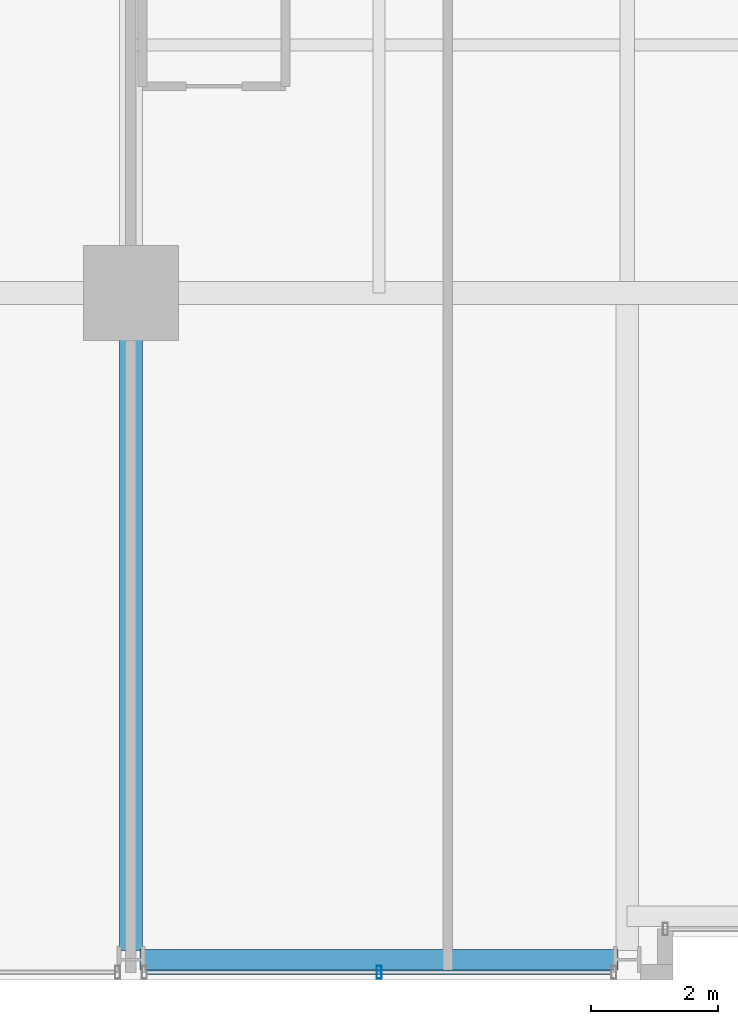
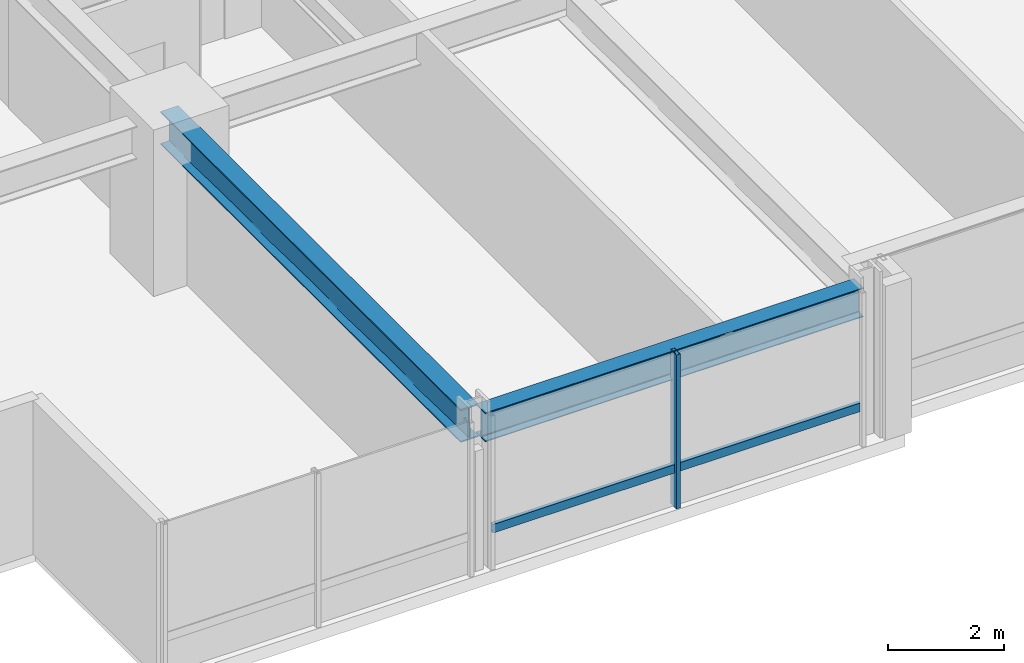
# One storey, part 3 of 33: 2 beams, 2 members, 1 element without a shape of its own.
"""IFC4 building model written with IfcOpenShell, lengths in metres."""

from ifc_helpers import new_model, si_unit, direction, frame, origin, origin_2d, place, context, subcontext, project, spatial, hollow_rectangle, i_section, extrude, material, layer, layer_set, material_profile, profile_set, type_object, element, aggregate, save


model = new_model("IFC4")

# Units and contexts
model_context = context("Model", 3, precision=1e-05, world=origin(), true_north=direction((0.0, 1.0)))
body_context = subcontext(model_context, "Body", "Model", "MODEL_VIEW")
ifc_project = project(units=[si_unit("LENGTHUNIT", "METRE"), si_unit("AREAUNIT", "SQUARE_METRE"), si_unit("VOLUMEUNIT", "CUBIC_METRE"), si_unit("PLANEANGLEUNIT", "RADIAN"), si_unit("MASSUNIT", "GRAM", prefix="KILO")], contexts=[model_context])

# Site, building, storey
site_placement = place(None, origin())
site = spatial("IfcSite", under=ifc_project, at=site_placement, CompositionType="ELEMENT")
building_placement = place(site_placement, origin())
building = spatial("IfcBuilding", under=site, at=building_placement, Name="Drelvath Grand Hotel", CompositionType="ELEMENT")
storey_placement = place(building_placement, frame((0.0, 0.0, 119.800048828125)))
storey = spatial("IfcBuildingStorey", under=building, at=storey_placement, Name="L30", CompositionType="ELEMENT", Elevation=119.800048828125)

# Curtain wall, members
ifc_material_1 = material(Name="Champagne Bronze Anodised Aluminium Frame", Category="aluminium")
ifc_layer = layer(ifc_material_1, 0.199951171875)
ifc_layer_set = layer_set([ifc_layer], Name="Champagne Bronze Anodised Aluminium Frame")
curtain_wall_type = type_object("IfcCurtainWallType", Name="Stick Curtain Wall CW-03 Champagne Bronze Mid-Rise", PredefinedType="NOTDEFINED", material=ifc_layer_set)
curtain_wall_placement = place(storey_placement, origin())
curtain_wall = element("IfcCurtainWall", 1, at=curtain_wall_placement, inside=storey, type_object=curtain_wall_type, Name="L30 CW-03 Curtain Wall CW03-L30-SW2", PredefinedType="NOTDEFINED")
ifc_material_profile_1 = material_profile(ifc_material_1, hollow_rectangle(XDim=0.074951171875, YDim=0.179931640625, WallThickness=0.0048828125, at=origin_2d()), Name="HSS180X75X5")
ifc_profile_set_1 = profile_set([ifc_material_profile_1], Name="Champagne Bronze Anodised Aluminium Frame")
member_type_1 = type_object("IfcMemberType", Name="Curtain Wall Horizontal Transom CW-03 HSS180X75X5", PredefinedType="USERDEFINED", material=ifc_profile_set_1)
member_1_placement = place(storey_placement, frame((-8.6494140625, 0.1201171875, 0.81005859375), z_axis=(-1.0, 0.0, 0.0), x_axis=(0.0, -1.0, 0.0)))
member_1 = element("IfcMember", 2, at=member_1_placement, type_object=member_type_1, Name="CW03-L30-SW2 Sill Transom", ObjectType="TRANSOM", PredefinedType="USERDEFINED", context=body_context, shape_type="SweptSolid", body=[
    extrude(hollow_rectangle(XDim=0.074951171875, YDim=0.179931640625, WallThickness=0.0048828125, at=origin_2d()), origin(), (0.0, 0.0, 1.0), 7.30126953125),
])
ifc_material_profile_2 = material_profile(ifc_material_1, hollow_rectangle(XDim=0.080078125, YDim=0.199951171875, WallThickness=0.0048828125, at=origin_2d()), Name="HSS200X80X5")
ifc_profile_set_2 = profile_set([ifc_material_profile_2], Name="Champagne Bronze Anodised Aluminium Frame")
member_type_2 = type_object("IfcMemberType", Name="Curtain Wall Vertical Mullion CW-03 HSS200X80X5", PredefinedType="MULLION", material=ifc_profile_set_2)
member_2_placement = place(storey_placement, frame((-12.300048828125, 0.1201171875, 0.0), z_axis=(0.0, 0.0, 1.0), x_axis=(1.0, 0.0, 0.0)))
member_2 = element("IfcMember", 3, at=member_2_placement, type_object=member_type_2, Name="CW03-L30-SW2 Mullion 2", PredefinedType="MULLION", context=body_context, shape_type="SweptSolid", body=[
    extrude(hollow_rectangle(XDim=0.080078125, YDim=0.199951171875, WallThickness=0.0048828125, at=origin_2d()), origin(), (0.0, 0.0, 1.0), 3.239990234375),
])
aggregate(curtain_wall, [member_2, member_1])

# Beams
ifc_material_2 = material(Name="Steel ASTM A992 Gr 50", Category="steel")
ifc_material_profile_3 = material_profile(ifc_material_2, i_section(OverallWidth=0.323974609375, OverallDepth=0.611083984375, WebThickness=0.0126953125, FlangeThickness=0.01904296875, FilletRadius=0.02197265625, at=origin_2d()), Name="W24X104")
ifc_profile_set_3 = profile_set([ifc_material_profile_3], Name="Steel ASTM A992 Gr 50")
beam_type_1 = type_object("IfcBeamType", Name="Perimeter Spandrel Beam W24X104", PredefinedType="SPANDREL", material=ifc_profile_set_3)
beam_1_placement = place(storey_placement, frame((-16.06005859375, 0.320068359375, 2.9345703125), z_axis=(1.0, 0.0, 0.0), x_axis=(0.0, 1.0, 0.0)))
element("IfcBeam", 4, at=beam_1_placement, inside=storey, type_object=beam_type_1, Name="L30 Spandrel South W", PredefinedType="SPANDREL", context=body_context, shape_type="SweptSolid", body=[
    extrude(i_section(OverallWidth=0.323974609375, OverallDepth=0.611083984375, WebThickness=0.0126953125, FlangeThickness=0.01904296875, FilletRadius=0.02197265625, at=origin_2d()), origin(), (0.0, 0.0, 1.0), 7.52001953125),
])
ifc_material_profile_4 = material_profile(ifc_material_2, i_section(OverallWidth=0.354736328125, OverallDepth=0.695556640625, WebThickness=0.015380859375, FlangeThickness=0.025146484375, FilletRadius=0.02392578125, at=origin_2d()), Name="W27X146")
ifc_profile_set_4 = profile_set([ifc_material_profile_4], Name="Steel ASTM A992 Gr 50")
beam_type_2 = type_object("IfcBeamType", Name="Primary Floor Girder W27X146", PredefinedType="BEAM", material=ifc_profile_set_4)
beam_2_placement = place(storey_placement, frame((-16.199951171875, 0.4599609375, 2.892333984375), z_axis=(0.0, 1.0, 0.0), x_axis=(-1.0, 0.0, 0.0)))
element("IfcBeam", 5, at=beam_2_placement, inside=storey, type_object=beam_type_2, Name="L30 South Grid Girder 3", PredefinedType="BEAM", context=body_context, shape_type="SweptSolid", body=[
    extrude(i_section(OverallWidth=0.354736328125, OverallDepth=0.695556640625, WebThickness=0.015380859375, FlangeThickness=0.025146484375, FilletRadius=0.02392578125, at=origin_2d()), origin(), (0.0, 0.0, 1.0), 10.340087890625),
])

save(model, "model.ifc")
